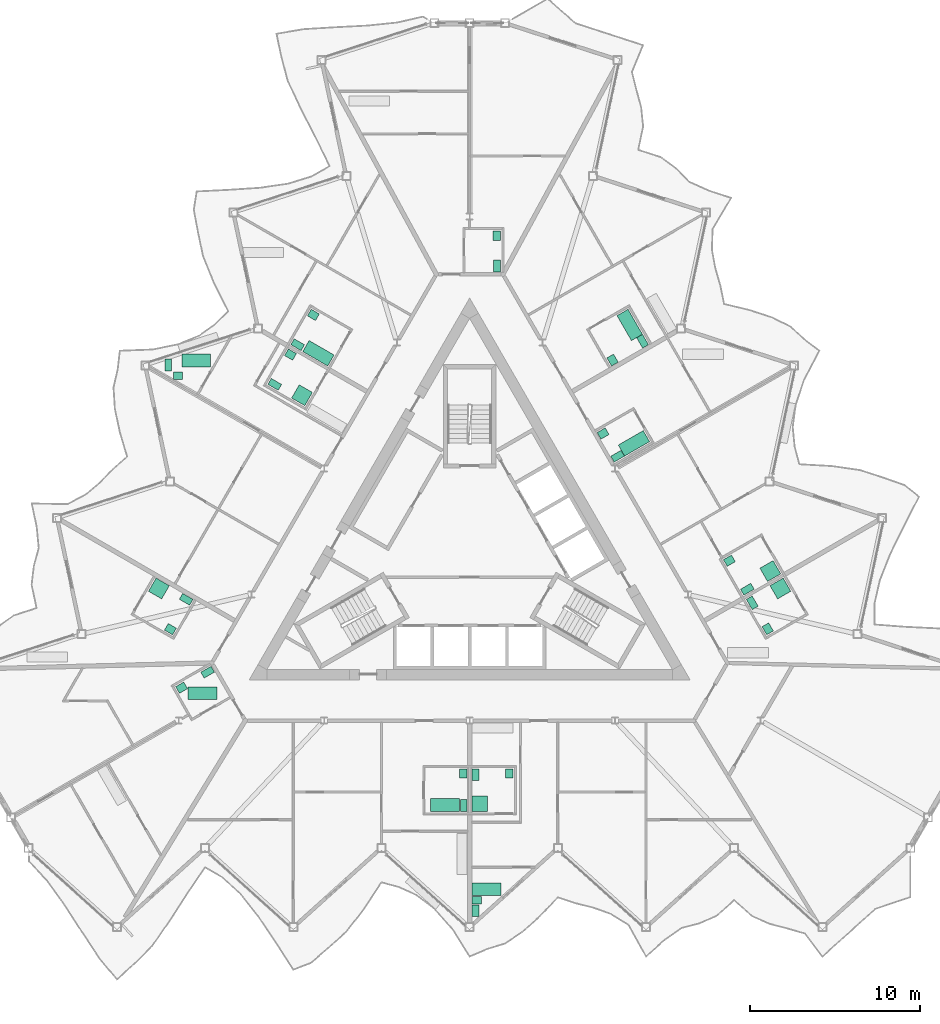
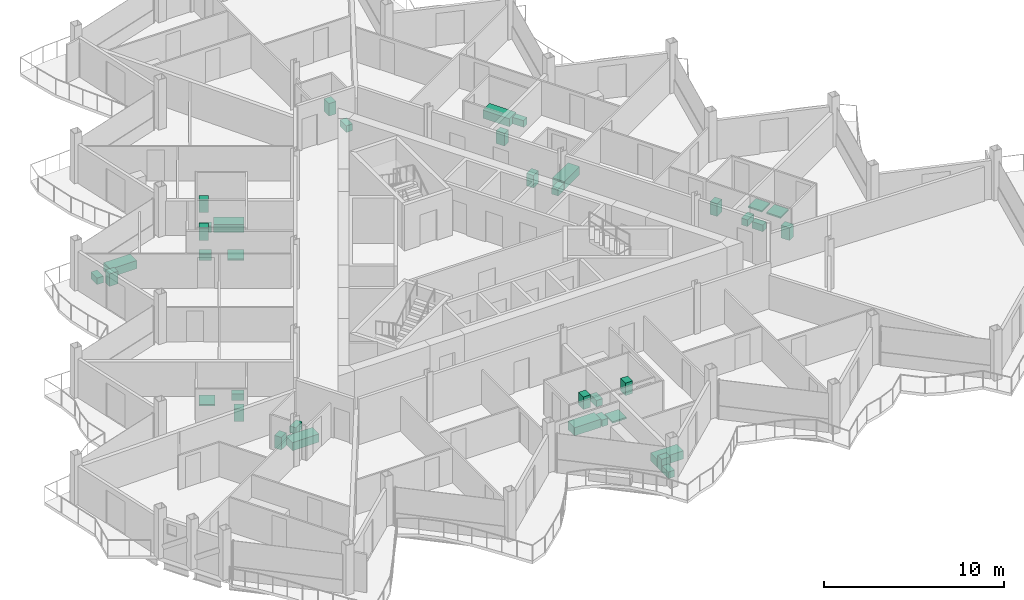
# One storey, part 25 of 26: 38 sanitary terminals.
"""IFC4 building model written with IfcOpenShell, lengths in metres."""

from ifc_helpers import new_model, si_unit, direction, frame, origin, origin_2d, place, context, subcontext, project, spatial, rectangle, extrude, material, type_object, element, save


model = new_model("IFC4")

# Units and contexts
model_context = context("Model", 3, precision=1e-05, world=origin(), true_north=direction((0.0, 1.0)))
body_context = subcontext(model_context, "Body", "Model", "MODEL_VIEW")
ifc_project = project(units=[si_unit("LENGTHUNIT", "METRE"), si_unit("AREAUNIT", "SQUARE_METRE"), si_unit("VOLUMEUNIT", "CUBIC_METRE"), si_unit("PLANEANGLEUNIT", "RADIAN"), si_unit("MASSUNIT", "GRAM", prefix="KILO")], contexts=[model_context])

# Site, building, storey
site_placement = place(None, origin())
site = spatial("IfcSite", under=ifc_project, at=site_placement, CompositionType="ELEMENT")
building_placement = place(site_placement, origin())
building = spatial("IfcBuilding", under=site, at=building_placement, Name="Cormorant Prow Tower", CompositionType="ELEMENT")
storey_placement = place(building_placement, frame((0.0, 0.0, 398.39990234375)))
storey = spatial("IfcBuildingStorey", under=building, at=storey_placement, Name="L91", CompositionType="ELEMENT", Elevation=398.39990234375)

# Sanitary terminals
ifc_material_1 = material(Name="Vitreous china")
sanitary_terminal_type_1 = type_object("IfcSanitaryTerminalType", Name="Bath 1700x750", PredefinedType="BATH", material=ifc_material_1)
for number, where, z_axis, x_axis, name in (
    (1, (-1.455078125, -14.885498046875, 0.0), (0.0, 0.0, 1.0), (1.0, 0.0, 0.0), "Bath"),
    (2, (0.9951171875, -19.842529296875, 0.0), (0.0, 0.0, 1.0), (1.0, 0.0, 0.0), "Bath"),
    (3, (9.68701171875, 6.442626953125, 0.0), (0.0, 0.0, 1.0), (-0.866025403784, -0.5, 0.0), "Bath"),
    (4, (9.438720703125, 13.422607421875, 0.0), (0.0, 0.0, 1.0), (0.5, -0.866025403784, 0.0), "Bath"),
    (5, (-8.91845703125, 11.75390625, 0.0), (0.0, 0.0, 1.0), (-0.866025403784, 0.5, 0.0), "Bath"),
    (6, (-16.120361328125, 11.332763671875, 0.0), (0.0, 0.0, 1.0), (1.0, 0.0, 0.0), "Bath"),
    (7, (-15.75244140625, -8.29248046875, 0.0), (0.0, 0.0, 1.0), (1.0, 0.0, 0.0), "Bath"),
):
    element("IfcSanitaryTerminal", number, at=place(storey_placement, frame(where, z_axis=z_axis, x_axis=x_axis)), inside=storey, type_object=sanitary_terminal_type_1, Name=name, PredefinedType="BATH", context=body_context, shape_type="SweptSolid", body=[
        extrude(rectangle(XDim=1.699951171875, YDim=0.75, at=origin_2d()), origin(), (0.0, 0.0, 1.0), 0.550048828125),
    ])
ifc_material_2 = material(Name="Vitreous china")
sanitary_terminal_type_2 = type_object("IfcSanitaryTerminalType", Name="Shower tray 900x900", PredefinedType="SHOWER", material=ifc_material_2)
for number, where, z_axis, x_axis, name in (
    (8, (0.594970703125, -14.810546875, 0.0), (0.0, 0.0, 1.0), (0.0, 1.0, 0.0), "Shower tray"),
    (9, (18.32373046875, -2.11669921875, 0.0), (0.0, 0.0, 1.0), (0.5, -0.866025403784, 0.0), "Shower tray"),
    (10, (17.728759765625, -1.086181640625, 0.0), (0.0, 0.0, 1.0), (-0.866025403784, -0.5, 0.0), "Shower tray"),
    (11, (-9.884521484375, 9.280517578125, 0.0), (0.0, 0.0, 1.0), (-0.866025403784, 0.5, 0.0), "Shower tray"),
    (12, (-18.32373046875, -2.11669921875, 0.0), (0.0, 0.0, 1.0), (0.866025403784, -0.5, 0.0), "Shower tray"),
):
    element("IfcSanitaryTerminal", number, at=place(storey_placement, frame(where, z_axis=z_axis, x_axis=x_axis)), inside=storey, type_object=sanitary_terminal_type_2, Name=name, PredefinedType="SHOWER", context=body_context, shape_type="SweptSolid", body=[
        extrude(rectangle(XDim=0.89990234375, YDim=0.89990234375, at=origin_2d()), origin(), (0.0, 0.0, 1.0), 0.10009765625),
    ])
ifc_material_3 = material(Name="Vitreous china")
sanitary_terminal_type_3 = type_object("IfcSanitaryTerminalType", Name="Wash basin 550x450", PredefinedType="WASHHANDBASIN", material=ifc_material_3)
for number, where, z_axis, x_axis, name in (
    (13, (-0.3701171875, -13.025634765625, 0.0), (0.0, 0.0, 1.0), (0.0, -1.0, 0.0), "Wash basin"),
    (14, (0.419921875, -20.49267578125, 0.0), (0.0, 0.0, 1.0), (1.0, 0.0, 0.0), "Wash basin"),
    (15, (2.330078125, -13.025634765625, 0.0), (0.0, 0.0, 1.0), (0.0, -1.0, 0.0), "Wash basin"),
    (16, (17.5771484375, -4.493408203125, 0.0), (0.0, 0.0, 1.0), (-0.5, 0.866025403784, 0.0), "Wash basin"),
    (17, (7.869140625, 7.021240234375, 0.0), (0.0, 0.0, 1.0), (0.866025403784, 0.5, 0.0), "Wash basin"),
    (18, (15.3154296875, -0.47607421875, 0.0), (0.0, 0.0, 1.0), (0.866025403784, 0.5, 0.0), "Wash basin"),
    (19, (8.42724609375, 11.354736328125, 0.0), (0.0, 0.0, 1.0), (-0.5, 0.866025403784, 0.0), "Wash basin"),
    (20, (1.593017578125, 18.69091796875, 0.0), (0.0, 0.0, 1.0), (0.0, -1.0, 0.0), "Wash basin"),
    (21, (-9.212890625, 14.013916015625, 0.0), (0.0, 0.0, 1.0), (0.866025403784, -0.5, 0.0), "Wash basin"),
    (22, (-17.1953125, 10.4326171875, 0.0), (0.0, 0.0, 1.0), (1.0, 0.0, 0.0), "Wash basin"),
    (23, (-10.56298828125, 11.67578125, 0.0), (0.0, 0.0, 1.0), (0.866025403784, -0.5, 0.0), "Wash basin"),
    (24, (-17.6455078125, -4.51171875, 0.0), (0.0, 0.0, 1.0), (-0.866025403784, 0.5, 0.0), "Wash basin"),
    (25, (-16.9833984375, -7.966064453125, 0.0), (0.0, 0.0, 1.0), (0.866025403784, 0.5, 0.0), "Wash basin"),
):
    element("IfcSanitaryTerminal", number, at=place(storey_placement, frame(where, z_axis=z_axis, x_axis=x_axis)), inside=storey, type_object=sanitary_terminal_type_3, Name=name, PredefinedType="WASHHANDBASIN", context=body_context, shape_type="SweptSolid", body=[
        extrude(rectangle(XDim=0.550048828125, YDim=0.449951171875, at=origin_2d()), origin(), (0.0, 0.0, 1.0), 0.85009765625),
    ])
ifc_material_4 = material(Name="Vitreous china")
sanitary_terminal_type_4 = type_object("IfcSanitaryTerminalType", Name="Water closet 400x700", PredefinedType="WCSEAT", material=ifc_material_4)
for number, where, z_axis, x_axis, name in (
    (26, (-0.344970703125, -14.91064453125, 0.0), (0.0, 0.0, 1.0), (-1.0, 0.0, 0.0), "Water closet"),
    (27, (0.344970703125, -21.11767578125, 0.0), (0.0, 0.0, 1.0), (1.0, 0.0, 0.0), "Water closet"),
    (28, (0.344970703125, -13.1005859375, 0.0), (0.0, 0.0, 1.0), (1.0, 0.0, 0.0), "Water closet"),
    (29, (16.6630859375, -2.960205078125, 0.0), (0.0, 0.0, 1.0), (0.866025403784, 0.5, 0.0), "Water closet"),
    (30, (8.726806640625, 5.68603515625, 0.0), (0.0, 0.0, 1.0), (-0.5, 0.866025403784, 0.0), "Water closet"),
    (31, (16.372802734375, -2.15771484375, 0.0), (0.0, 0.0, 1.0), (-0.5, 0.866025403784, 0.0), "Water closet"),
    (32, (10.1953125, 12.46240234375, 0.0), (0.0, 0.0, 1.0), (-0.866025403784, -0.5, 0.0), "Water closet"),
    (33, (1.617919921875, 16.906005859375, 0.0), (0.0, 0.0, 1.0), (-1.0, 0.0, 0.0), "Water closet"),
    (34, (-10.140380859375, 12.25732421875, 0.0), (0.0, 0.0, 1.0), (0.5, 0.866025403784, 0.0), "Water closet"),
    (35, (-17.770263671875, 11.0576171875, 0.0), (0.0, 0.0, 1.0), (1.0, 0.0, 0.0), "Water closet"),
    (36, (-11.490478515625, 9.919189453125, 0.0), (0.0, 0.0, 1.0), (0.5, 0.866025403784, 0.0), "Water closet"),
    (37, (-16.718017578125, -2.755126953125, 0.0), (0.0, 0.0, 1.0), (-0.5, -0.866025403784, 0.0), "Water closet"),
    (38, (-15.4501953125, -7.0517578125, 0.0), (0.0, 0.0, 1.0), (0.5, -0.866025403784, 0.0), "Water closet"),
):
    element("IfcSanitaryTerminal", number, at=place(storey_placement, frame(where, z_axis=z_axis, x_axis=x_axis)), inside=storey, type_object=sanitary_terminal_type_4, Name=name, PredefinedType="WCSEAT", context=body_context, shape_type="SweptSolid", body=[
        extrude(rectangle(XDim=0.39990234375, YDim=0.699951171875, at=origin_2d()), origin(), (0.0, 0.0, 1.0), 0.449951171875),
    ])

save(model, "model.ifc")
